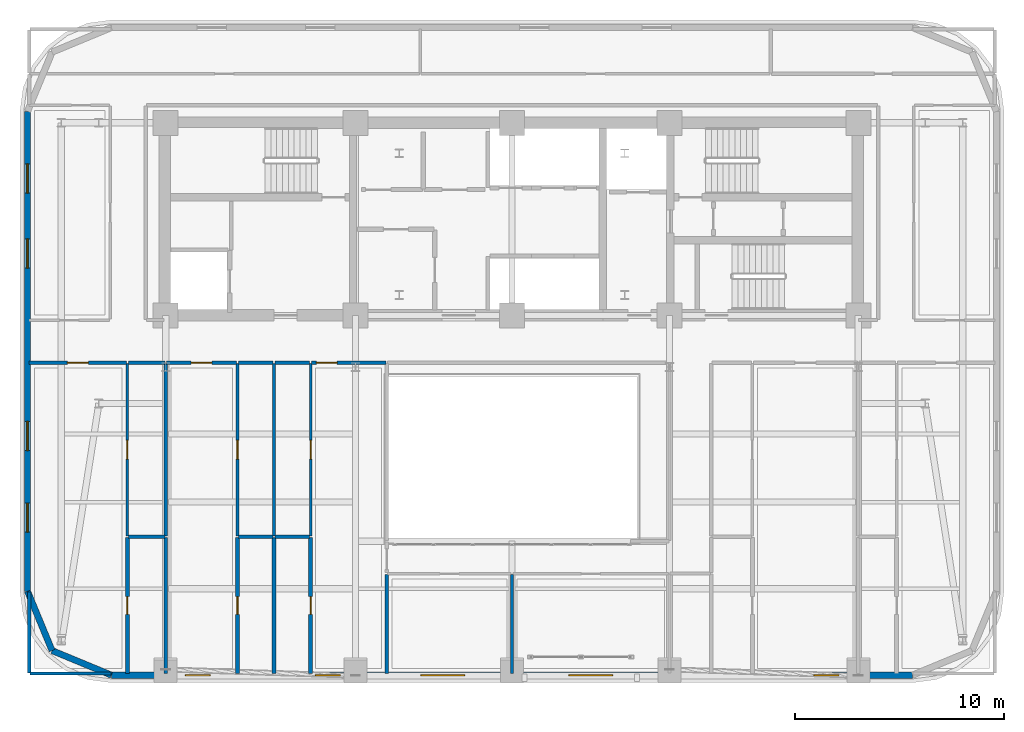
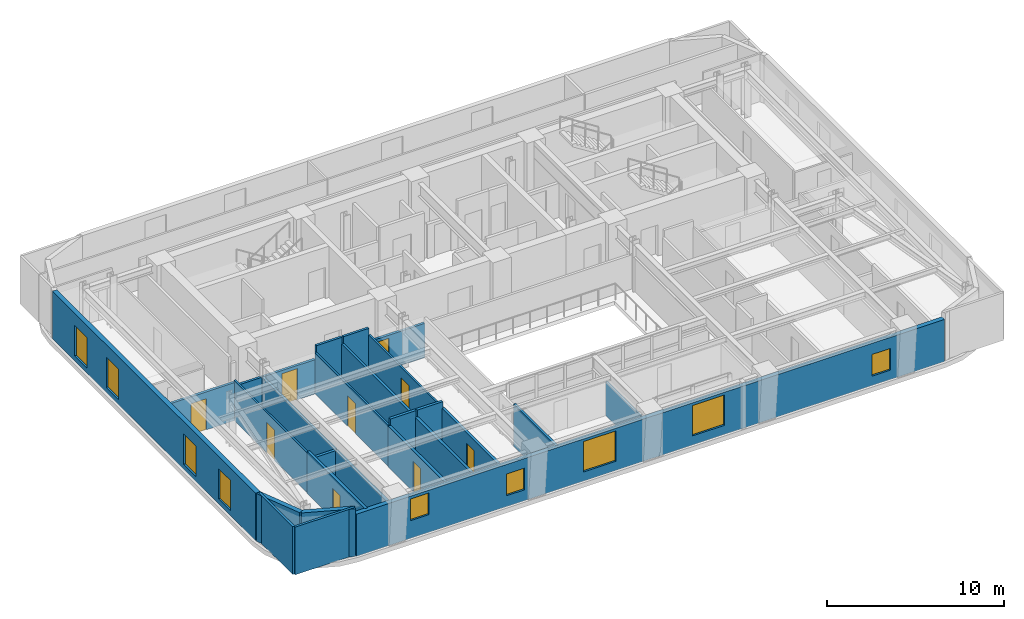
# One storey, part 6 of 13: 27 walls, 9 doors, 9 windows, 18 openings.
"""IFC4 building model written with IfcOpenShell, lengths in metres."""

from ifc_helpers import new_model, si_unit, direction, frame, frame_2d, origin, place, context, subcontext, project, spatial, rectangle, extrude, material, layer, layer_set, type_object, element, fill, save


model = new_model("IFC4")

# Units and contexts
model_context = context("Model", 3, precision=1e-05, world=origin(), true_north=direction((0.0, 1.0)))
body_context = subcontext(model_context, "Body", "Model", "MODEL_VIEW")
ifc_project = project(units=[si_unit("LENGTHUNIT", "METRE"), si_unit("AREAUNIT", "SQUARE_METRE"), si_unit("VOLUMEUNIT", "CUBIC_METRE"), si_unit("PLANEANGLEUNIT", "RADIAN"), si_unit("MASSUNIT", "GRAM", prefix="KILO")], contexts=[model_context])

# Site, building, storey
site_placement = place(None, origin())
site = spatial("IfcSite", under=ifc_project, at=site_placement, CompositionType="ELEMENT")
building_placement = place(site_placement, origin())
building = spatial("IfcBuilding", under=site, at=building_placement, Name="Zarnavel Station Tower", CompositionType="ELEMENT")
storey_placement = place(building_placement, frame((0.0, 0.0, 169.64990234375)))
storey = spatial("IfcBuildingStorey", under=building, at=storey_placement, Name="L46", CompositionType="ELEMENT", Elevation=169.64990234375)

# Wall, openings, windows
ifc_material_1 = material(Name="Precast concrete C45/55 (Dark Basalt Finish)", Category="masonry")
ifc_layer_1 = layer(ifc_material_1, 0.300048828125)
ifc_layer_set_1 = layer_set([ifc_layer_1], Name="EW_BASALT_300")
wall_type_1 = type_object("IfcWallType", Name="EW_BASALT_300", PredefinedType="SOLIDWALL", material=ifc_layer_set_1)
wall_1_placement = place(storey_placement, frame((5.580078125, 14.60009765625, 0.0), z_axis=(0.0, 0.0, 1.0), x_axis=(0.0, 1.0, 0.0)))
wall_1 = element("IfcWall", 1, at=wall_1_placement, inside=storey, type_object=wall_type_1, Name="L46 Exterior Basalt Masonry Frame Wall 09", PredefinedType="SOLIDWALL", context=body_context, shape_type="SweptSolid", body=[
    extrude(rectangle(XDim=23.0, YDim=0.300048828125, at=frame_2d((11.5, 0.0))), origin(), (0.0, 0.0, 1.0), 3.2900390625),
])
opening_1_placement = place(wall_1_placement, frame((15.493408203125, 0.0, 0.340087890625)))
opening_1 = element("IfcOpeningElement", 2, at=opening_1_placement, cuts=wall_1, Name="Opening WN04", PredefinedType="OPENING", context=body_context, shape_type="SweptSolid", body=[
    extrude(rectangle(XDim=1.39990234375, YDim=2.10009765625, at=frame_2d((0.699951171875, 1.050048828125))), frame((0.0, 0.159912109375, 0.0), z_axis=(0.0, -1.0, 0.0), x_axis=(1.0, 0.0, 0.0)), (0.0, 0.0, 1.0), 0.320068359375),
])
opening_2_placement = place(wall_1_placement, frame((19.086669921875, 0.0, 0.340087890625)))
opening_2 = element("IfcOpeningElement", 3, at=opening_2_placement, cuts=wall_1, Name="Opening WN04", PredefinedType="OPENING", context=body_context, shape_type="SweptSolid", body=[
    extrude(rectangle(XDim=1.39990234375, YDim=2.10009765625, at=frame_2d((0.699951171875, 1.050048828125))), frame((0.0, 0.159912109375, 0.0), z_axis=(0.0, -1.0, 0.0), x_axis=(1.0, 0.0, 0.0)), (0.0, 0.0, 1.0), 0.320068359375),
])
opening_3_placement = place(wall_1_placement, frame((2.830078125, 0.0, 0.340087890625)))
opening_3 = element("IfcOpeningElement", 4, at=opening_3_placement, cuts=wall_1, Name="Opening WN04", PredefinedType="OPENING", context=body_context, shape_type="SweptSolid", body=[
    extrude(rectangle(XDim=1.39990234375, YDim=2.10009765625, at=frame_2d((0.699951171875, 1.050048828125))), frame((0.0, 0.159912109375, 0.0), z_axis=(0.0, -1.0, 0.0), x_axis=(1.0, 0.0, 0.0)), (0.0, 0.0, 1.0), 0.320068359375),
])
opening_4_placement = place(wall_1_placement, frame((6.739990234375, 0.0, 0.340087890625)))
opening_4 = element("IfcOpeningElement", 5, at=opening_4_placement, cuts=wall_1, Name="Opening WN04", PredefinedType="OPENING", context=body_context, shape_type="SweptSolid", body=[
    extrude(rectangle(XDim=1.39990234375, YDim=2.10009765625, at=frame_2d((0.699951171875, 1.050048828125))), frame((0.0, 0.159912109375, 0.0), z_axis=(0.0, -1.0, 0.0), x_axis=(1.0, 0.0, 0.0)), (0.0, 0.0, 1.0), 0.320068359375),
])
ifc_material_2 = material(Name="Thermally Broken Black Aluminium and Low-E Dark Glass", Category="aluminium")
window_type_1 = type_object("IfcWindowType", Name="WN_1400x2100", PartitioningType="DOUBLE_PANEL_VERTICAL", PredefinedType="WINDOW", material=ifc_material_2)
window_1_placement = place(opening_1_placement, origin())
window_1 = element("IfcWindow", 6, at=window_1_placement, inside=storey, type_object=window_type_1, Name="L46 Recessed Facade Window 01", OverallHeight=2.10009765625, OverallWidth=1.39990234375, PartitioningType="SINGLE_PANEL", PredefinedType="WINDOW", context=body_context, shape_type="SweptSolid", body=[
    extrude(rectangle(XDim=1.39990234375, YDim=2.10009765625, at=frame_2d((0.699951171875, 1.050048828125))), frame((0.0, 0.030029296875, 0.0), z_axis=(0.0, -1.0, 0.0), x_axis=(1.0, 0.0, 0.0)), (0.0, 0.0, 1.0), 0.06005859375),
])
fill(opening_1, window_1)
window_2_placement = place(opening_2_placement, origin())
window_2 = element("IfcWindow", 7, at=window_2_placement, inside=storey, type_object=window_type_1, Name="L46 Recessed Facade Window 02", OverallHeight=2.10009765625, OverallWidth=1.39990234375, PartitioningType="SINGLE_PANEL", PredefinedType="WINDOW", context=body_context, shape_type="SweptSolid", body=[
    extrude(rectangle(XDim=1.39990234375, YDim=2.10009765625, at=frame_2d((0.699951171875, 1.050048828125))), frame((0.0, 0.030029296875, 0.0), z_axis=(0.0, -1.0, 0.0), x_axis=(1.0, 0.0, 0.0)), (0.0, 0.0, 1.0), 0.06005859375),
])
fill(opening_2, window_2)
window_3_placement = place(opening_3_placement, origin())
window_3 = element("IfcWindow", 8, at=window_3_placement, inside=storey, type_object=window_type_1, Name="L46 Recessed Facade Window 03", OverallHeight=2.10009765625, OverallWidth=1.39990234375, PartitioningType="SINGLE_PANEL", PredefinedType="WINDOW", context=body_context, shape_type="SweptSolid", body=[
    extrude(rectangle(XDim=1.39990234375, YDim=2.10009765625, at=frame_2d((0.699951171875, 1.050048828125))), frame((0.0, 0.030029296875, 0.0), z_axis=(0.0, -1.0, 0.0), x_axis=(1.0, 0.0, 0.0)), (0.0, 0.0, 1.0), 0.06005859375),
])
fill(opening_3, window_3)
window_4_placement = place(opening_4_placement, origin())
window_4 = element("IfcWindow", 9, at=window_4_placement, inside=storey, type_object=window_type_1, Name="L46 Recessed Facade Window 04", OverallHeight=2.10009765625, OverallWidth=1.39990234375, PartitioningType="SINGLE_PANEL", PredefinedType="WINDOW", context=body_context, shape_type="SweptSolid", body=[
    extrude(rectangle(XDim=1.39990234375, YDim=2.10009765625, at=frame_2d((0.699951171875, 1.050048828125))), frame((0.0, 0.030029296875, 0.0), z_axis=(0.0, -1.0, 0.0), x_axis=(1.0, 0.0, 0.0)), (0.0, 0.0, 1.0), 0.06005859375),
])
fill(opening_4, window_4)

# Walls
for number, where, z_axis, x_axis, name in (
    (10, (6.75732421875, 11.75732421875, 0.0), (0.0, 0.0, 1.0), (-0.382608747773, 0.923910464346, 0.0), "L46 Exterior Basalt Masonry Frame Wall 10"),
    (11, (9.60009765625, 10.580078125, 0.0), (0.0, 0.0, 1.0), (-0.923910464346, 0.382608747773, 0.0), "L46 Exterior Basalt Masonry Frame Wall 11"),
):
    element("IfcWall", number, at=place(storey_placement, frame(where, z_axis=z_axis, x_axis=x_axis)), inside=storey, type_object=wall_type_1, Name=name, PredefinedType="SOLIDWALL", context=body_context, shape_type="SweptSolid", body=[
        extrude(rectangle(XDim=3.076904296875, YDim=0.300048828125, at=frame_2d((1.53857421875, 0.0))), origin(), (0.0, 0.0, 1.0), 3.2900390625),
    ])

# Wall, openings, windows
wall_2_placement = place(storey_placement, frame((48.0, 10.580078125, 0.0), z_axis=(0.0, 0.0, 1.0), x_axis=(-1.0, 0.0, 0.0)))
wall_2 = element("IfcWall", 12, at=wall_2_placement, inside=storey, type_object=wall_type_1, Name="L46 Exterior Basalt Masonry Frame Wall 12", PredefinedType="SOLIDWALL", context=body_context, shape_type="SweptSolid", body=[
    extrude(rectangle(XDim=38.39990234375, YDim=0.300048828125, at=frame_2d((19.199951171875, 0.0))), origin(), (0.0, 0.0, 1.0), 2.91015625),
])
opening_5_placement = place(wall_2_placement, frame((33.6650390625, 0.0, 1.219970703125)))
opening_5 = element("IfcOpeningElement", 13, at=opening_5_placement, cuts=wall_2, Name="Opening WN08", PredefinedType="OPENING", context=body_context, shape_type="SweptSolid", body=[
    extrude(rectangle(XDim=1.199951171875, YDim=1.5, at=frame_2d((0.60009765625, 0.75))), frame((0.0, 0.159912109375, 0.0), z_axis=(0.0, -1.0, 0.0), x_axis=(1.0, 0.0, 0.0)), (0.0, 0.0, 1.0), 0.320068359375),
])
opening_6_placement = place(wall_2_placement, frame((21.467529296875, 0.0, 0.6298828125)))
opening_6 = element("IfcOpeningElement", 14, at=opening_6_placement, cuts=wall_2, Name="Opening WN05", PredefinedType="OPENING", context=body_context, shape_type="SweptSolid", body=[
    extrude(rectangle(XDim=2.10009765625, YDim=2.10009765625, at=frame_2d((1.050048828125, 1.050048828125))), frame((0.0, 0.159912109375, 0.0), z_axis=(0.0, -1.0, 0.0), x_axis=(1.0, 0.0, 0.0)), (0.0, 0.0, 1.0), 0.320068359375),
])
opening_7_placement = place(wall_2_placement, frame((14.375, 0.0, 0.6298828125)))
opening_7 = element("IfcOpeningElement", 15, at=opening_7_placement, cuts=wall_2, Name="Opening WN05", PredefinedType="OPENING", context=body_context, shape_type="SweptSolid", body=[
    extrude(rectangle(XDim=2.10009765625, YDim=2.10009765625, at=frame_2d((1.050048828125, 1.050048828125))), frame((0.0, 0.159912109375, 0.0), z_axis=(0.0, -1.0, 0.0), x_axis=(1.0, 0.0, 0.0)), (0.0, 0.0, 1.0), 0.320068359375),
])
opening_8_placement = place(wall_2_placement, frame((3.534912109375, 0.0, 0.64990234375)))
opening_8 = element("IfcOpeningElement", 16, at=opening_8_placement, cuts=wall_2, Name="Opening WN08", PredefinedType="OPENING", context=body_context, shape_type="SweptSolid", body=[
    extrude(rectangle(XDim=1.199951171875, YDim=1.5, at=frame_2d((0.60009765625, 0.75))), frame((0.0, 0.159912109375, 0.0), z_axis=(0.0, -1.0, 0.0), x_axis=(1.0, 0.0, 0.0)), (0.0, 0.0, 1.0), 0.320068359375),
])
opening_9_placement = place(wall_2_placement, frame((27.419921875, 0.0, 0.75)))
opening_9 = element("IfcOpeningElement", 17, at=opening_9_placement, cuts=wall_2, Name="Opening WN08", PredefinedType="OPENING", context=body_context, shape_type="SweptSolid", body=[
    extrude(rectangle(XDim=1.199951171875, YDim=1.5, at=frame_2d((0.60009765625, 0.75))), frame((0.0, 0.159912109375, 0.0), z_axis=(0.0, -1.0, 0.0), x_axis=(1.0, 0.0, 0.0)), (0.0, 0.0, 1.0), 0.320068359375),
])
ifc_material_3 = material(Name="Thermally Broken Black Aluminium and Low-E Dark Glass", Category="aluminium")
window_type_2 = type_object("IfcWindowType", Name="WN_1200x1500", PartitioningType="SINGLE_PANEL", PredefinedType="WINDOW", material=ifc_material_3)
window_5_placement = place(opening_5_placement, origin())
window_5 = element("IfcWindow", 18, at=window_5_placement, inside=storey, type_object=window_type_2, Name="L46 Recessed Facade Window 01", OverallHeight=1.5, OverallWidth=1.199951171875, PartitioningType="SINGLE_PANEL", PredefinedType="WINDOW", context=body_context, shape_type="SweptSolid", body=[
    extrude(rectangle(XDim=1.199951171875, YDim=1.5, at=frame_2d((0.60009765625, 0.75))), frame((0.0, 0.030029296875, 0.0), z_axis=(0.0, -1.0, 0.0), x_axis=(1.0, 0.0, 0.0)), (0.0, 0.0, 1.0), 0.06005859375),
])
fill(opening_5, window_5)
window_6_placement = place(opening_8_placement, origin())
window_6 = element("IfcWindow", 19, at=window_6_placement, inside=storey, type_object=window_type_2, Name="L46 Recessed Facade Window 04", OverallHeight=1.5, OverallWidth=1.199951171875, PartitioningType="SINGLE_PANEL", PredefinedType="WINDOW", context=body_context, shape_type="SweptSolid", body=[
    extrude(rectangle(XDim=1.199951171875, YDim=1.5, at=frame_2d((0.60009765625, 0.75))), frame((0.0, 0.030029296875, 0.0), z_axis=(0.0, -1.0, 0.0), x_axis=(1.0, 0.0, 0.0)), (0.0, 0.0, 1.0), 0.06005859375),
])
fill(opening_8, window_6)
window_7_placement = place(opening_9_placement, origin())
window_7 = element("IfcWindow", 20, at=window_7_placement, inside=storey, type_object=window_type_2, Name="L46 South Guestroom Window HW3R", OverallHeight=1.5, OverallWidth=1.199951171875, PartitioningType="SINGLE_PANEL", PredefinedType="WINDOW", context=body_context, shape_type="SweptSolid", body=[
    extrude(rectangle(XDim=1.199951171875, YDim=1.5, at=frame_2d((0.60009765625, 0.75))), frame((0.0, 0.030029296875, 0.0), z_axis=(0.0, -1.0, 0.0), x_axis=(1.0, 0.0, 0.0)), (0.0, 0.0, 1.0), 0.06005859375),
])
fill(opening_9, window_7)
ifc_material_4 = material(Name="Thermally Broken Black Aluminium and Low-E Dark Glass", Category="aluminium")
window_type_3 = type_object("IfcWindowType", Name="WN_2100x2100", PartitioningType="TRIPLE_PANEL_VERTICAL", PredefinedType="WINDOW", material=ifc_material_4)
window_8_placement = place(opening_6_placement, origin())
window_8 = element("IfcWindow", 21, at=window_8_placement, inside=storey, type_object=window_type_3, Name="L46 Recessed Facade Window 02", OverallHeight=2.10009765625, OverallWidth=2.10009765625, PartitioningType="SINGLE_PANEL", PredefinedType="WINDOW", context=body_context, shape_type="SweptSolid", body=[
    extrude(rectangle(XDim=2.10009765625, YDim=2.10009765625, at=frame_2d((1.050048828125, 1.050048828125))), frame((0.0, 0.030029296875, 0.0), z_axis=(0.0, -1.0, 0.0), x_axis=(1.0, 0.0, 0.0)), (0.0, 0.0, 1.0), 0.06005859375),
])
fill(opening_6, window_8)
window_9_placement = place(opening_7_placement, origin())
window_9 = element("IfcWindow", 22, at=window_9_placement, inside=storey, type_object=window_type_3, Name="L46 Recessed Facade Window 03", OverallHeight=2.10009765625, OverallWidth=2.10009765625, PartitioningType="SINGLE_PANEL", PredefinedType="WINDOW", context=body_context, shape_type="SweptSolid", body=[
    extrude(rectangle(XDim=2.10009765625, YDim=2.10009765625, at=frame_2d((1.050048828125, 1.050048828125))), frame((0.0, 0.030029296875, 0.0), z_axis=(0.0, -1.0, 0.0), x_axis=(1.0, 0.0, 0.0)), (0.0, 0.0, 1.0), 0.06005859375),
])
fill(opening_7, window_9)

# Wall, opening, door
ifc_material_5 = material(Name="Gypsum Twin-Stud Acoustic Fire Partition", Category="concrete")
ifc_layer_2 = layer(ifc_material_5, 0.159912109375)
ifc_layer_set_2 = layer_set([ifc_layer_2], Name="PT_DEMISE_160")
wall_type_2 = type_object("IfcWallType", Name="PT_DEMISE_160", PredefinedType="PARTITIONING", material=ifc_layer_set_2)
wall_3_placement = place(storey_placement, frame((5.659912109375, 25.550048828125, 0.0), z_axis=(0.0, 0.0, 1.0), x_axis=(1.0, 0.0, 0.0)))
wall_3 = element("IfcWall", 23, at=wall_3_placement, inside=storey, type_object=wall_type_2, Name="L46 Partition COR-S-HW1R", PredefinedType="PARTITIONING", context=body_context, shape_type="SweptSolid", body=[
    extrude(rectangle(XDim=4.669189453125, YDim=0.159912109375, at=frame_2d((2.33447265625, 0.0))), origin(), (0.0, 0.0, 1.0), 2.6201171875),
])
opening_10_placement = place(wall_3_placement, frame((1.83447265625, 0.0, 0.0)))
opening_10 = element("IfcOpeningElement", 24, at=opening_10_placement, cuts=wall_3, Name="Opening FD02", PredefinedType="OPENING", context=body_context, shape_type="SweptSolid", body=[
    extrude(rectangle(XDim=1.0, YDim=2.14990234375, at=frame_2d((0.5, 1.074951171875))), frame((0.0, 0.08984375, 0.0), z_axis=(0.0, -1.0, 0.0), x_axis=(1.0, 0.0, 0.0)), (0.0, 0.0, 1.0), 0.179931640625),
])
ifc_material_6 = material(Name="Painted Galvanised Steel and Hardwood Leaf", Category="steel")
door_type_1 = type_object("IfcDoorType", Name="ID_ENTRY_1000", OperationType="NOTDEFINED", PredefinedType="DOOR", material=ifc_material_6)
door_1_placement = place(opening_10_placement, origin())
door_1 = element("IfcDoor", 25, at=door_1_placement, inside=storey, type_object=door_type_1, Name="L46 Door COR-S-HW1R", OperationType="SINGLE_SWING_RIGHT", OverallHeight=2.14990234375, OverallWidth=1.0, PredefinedType="DOOR", context=body_context, shape_type="SweptSolid", body=[
    extrude(rectangle(XDim=1.0, YDim=2.14990234375, at=frame_2d((0.5, 1.074951171875))), frame((0.0, 0.02490234375, 0.0), z_axis=(0.0, -1.0, 0.0), x_axis=(1.0, 0.0, 0.0)), (0.0, 0.0, 1.0), 0.050048828125),
])
fill(opening_10, door_1)

# Wall
wall_4_placement = place(storey_placement, frame((10.408935546875, 25.550048828125, 0.0), z_axis=(0.0, 0.0, 1.0), x_axis=(1.0, 0.0, 0.0)))
element("IfcWall", 26, at=wall_4_placement, inside=storey, type_object=wall_type_2, Name="L46 Partition COR-S-HW1S", PredefinedType="PARTITIONING", context=body_context, shape_type="SweptSolid", body=[
    extrude(rectangle(XDim=1.7509765625, YDim=0.159912109375, at=frame_2d((0.87548828125, 0.0))), origin(), (0.0, 0.0, 1.0), 2.360107421875),
])

# Wall, opening, door
wall_5_placement = place(storey_placement, frame((12.239990234375, 25.550048828125, 0.0), z_axis=(0.0, 0.0, 1.0), x_axis=(1.0, 0.0, 0.0)))
wall_5 = element("IfcWall", 27, at=wall_5_placement, inside=storey, type_object=wall_type_2, Name="L46 Partition COR-S-HW2R", PredefinedType="PARTITIONING", context=body_context, shape_type="SweptSolid", body=[
    extrude(rectangle(XDim=3.364013671875, YDim=0.159912109375, at=frame_2d((1.68212890625, 0.0))), origin(), (0.0, 0.0, 1.0), 2.360107421875),
])
opening_11_placement = place(wall_5_placement, frame((1.181884765625, 0.0, 0.0)))
opening_11 = element("IfcOpeningElement", 28, at=opening_11_placement, cuts=wall_5, Name="Opening FD02", PredefinedType="OPENING", context=body_context, shape_type="SweptSolid", body=[
    extrude(rectangle(XDim=1.0, YDim=2.14990234375, at=frame_2d((0.5, 1.074951171875))), frame((0.0, 0.08984375, 0.0), z_axis=(0.0, -1.0, 0.0), x_axis=(1.0, 0.0, 0.0)), (0.0, 0.0, 1.0), 0.179931640625),
])
door_2_placement = place(opening_11_placement, origin())
door_2 = element("IfcDoor", 29, at=door_2_placement, inside=storey, type_object=door_type_1, Name="L46 Door COR-S-HW2R", OperationType="SINGLE_SWING_LEFT", OverallHeight=2.14990234375, OverallWidth=1.0, PredefinedType="DOOR", context=body_context, shape_type="SweptSolid", body=[
    extrude(rectangle(XDim=1.0, YDim=2.14990234375, at=frame_2d((0.5, 1.074951171875))), frame((0.0, 0.02490234375, 0.0), z_axis=(0.0, -1.0, 0.0), x_axis=(1.0, 0.0, 0.0)), (0.0, 0.0, 1.0), 0.050048828125),
])
fill(opening_11, door_2)

# Wall
wall_6_placement = place(storey_placement, frame((15.68408203125, 25.550048828125, 0.0), z_axis=(0.0, 0.0, 1.0), x_axis=(1.0, 0.0, 0.0)))
element("IfcWall", 30, at=wall_6_placement, inside=storey, type_object=wall_type_2, Name="L46 Partition COR-S-HW2S", PredefinedType="PARTITIONING", context=body_context, shape_type="SweptSolid", body=[
    extrude(rectangle(XDim=1.669921875, YDim=0.159912109375, at=frame_2d((0.8349609375, 0.0))), origin(), (0.0, 0.0, 1.0), 3.2900390625),
])

# Wall, opening, door
wall_7_placement = place(storey_placement, frame((19.18408203125, 25.550048828125, 0.0), z_axis=(0.0, 0.0, 1.0), x_axis=(1.0, 0.0, 0.0)))
wall_7 = element("IfcWall", 31, at=wall_7_placement, inside=storey, type_object=wall_type_2, Name="L46 Partition COR-S-HW3R", PredefinedType="PARTITIONING", context=body_context, shape_type="SweptSolid", body=[
    extrude(rectangle(XDim=3.575927734375, YDim=0.159912109375, at=frame_2d((1.7880859375, 0.0))), origin(), (0.0, 0.0, 1.0), 2.360107421875),
])
opening_12_placement = place(wall_7_placement, frame((0.235595703125, 0.0, 0.0)))
opening_12 = element("IfcOpeningElement", 32, at=opening_12_placement, cuts=wall_7, Name="Opening FD02", PredefinedType="OPENING", context=body_context, shape_type="SweptSolid", body=[
    extrude(rectangle(XDim=1.0, YDim=2.14990234375, at=frame_2d((0.5, 1.074951171875))), frame((0.0, 0.08984375, 0.0), z_axis=(0.0, -1.0, 0.0), x_axis=(1.0, 0.0, 0.0)), (0.0, 0.0, 1.0), 0.179931640625),
])
door_3_placement = place(opening_12_placement, origin())
door_3 = element("IfcDoor", 33, at=door_3_placement, inside=storey, type_object=door_type_1, Name="L46 Door COR-S-HW3R", OperationType="SINGLE_SWING_RIGHT", OverallHeight=2.14990234375, OverallWidth=1.0, PredefinedType="DOOR", context=body_context, shape_type="SweptSolid", body=[
    extrude(rectangle(XDim=1.0, YDim=2.14990234375, at=frame_2d((0.5, 1.074951171875))), frame((0.0, 0.02490234375, 0.0), z_axis=(0.0, -1.0, 0.0), x_axis=(1.0, 0.0, 0.0)), (0.0, 0.0, 1.0), 0.050048828125),
])
fill(opening_12, door_3)

# Walls
wall_8_placement = place(storey_placement, frame((17.43408203125, 25.550048828125, 0.0), z_axis=(0.0, 0.0, 1.0), x_axis=(1.0, 0.0, 0.0)))
element("IfcWall", 34, at=wall_8_placement, inside=storey, type_object=wall_type_2, Name="L46 Partition COR-S-HW3S", PredefinedType="PARTITIONING", context=body_context, shape_type="SweptSolid", body=[
    extrude(rectangle(XDim=1.669921875, YDim=0.159912109375, at=frame_2d((0.8349609375, 0.0))), origin(), (0.0, 0.0, 1.0), 3.2900390625),
])
wall_9_placement = place(storey_placement, frame((12.199951171875, 17.251953125, 0.0), z_axis=(0.0, 0.0, 1.0), x_axis=(0.0, 1.0, 0.0)))
element("IfcWall", 35, at=wall_9_placement, inside=storey, type_object=wall_type_2, Name="L46 Partition HW1S-HW2R", PredefinedType="PARTITIONING", context=body_context, shape_type="SweptSolid", body=[
    extrude(rectangle(XDim=8.258056640625, YDim=0.159912109375, at=frame_2d((4.12890625, 0.0))), origin(), (0.0, 0.0, 1.0), 2.360107421875),
])
wall_10_placement = place(storey_placement, frame((17.39404296875, 17.251953125, 0.0), z_axis=(0.0, 0.0, 1.0), x_axis=(0.0, 1.0, 0.0)))
element("IfcWall", 36, at=wall_10_placement, inside=storey, type_object=wall_type_2, Name="L46 Partition HW2S-HW3S", PredefinedType="PARTITIONING", context=body_context, shape_type="SweptSolid", body=[
    extrude(rectangle(XDim=8.258056640625, YDim=0.159912109375, at=frame_2d((4.12890625, 0.0))), origin(), (0.0, 0.0, 1.0), 2.830078125),
])
wall_11_placement = place(storey_placement, frame((22.800048828125, 10.659912109375, 0.0), z_axis=(0.0, 0.0, 1.0), x_axis=(0.0, 1.0, 0.0)))
element("IfcWall", 37, at=wall_11_placement, inside=storey, type_object=wall_type_2, Name="L46 Partition HW3R-L45BAR", PredefinedType="PARTITIONING", context=body_context, shape_type="SweptSolid", body=[
    extrude(rectangle(XDim=4.75, YDim=0.159912109375, at=frame_2d((2.375, 0.0))), origin(), (0.0, 0.0, 1.0), 2.91015625),
])
for number, where, z_axis, x_axis, name in (
    (38, (5.68994140625, 10.659912109375, 0.0), (0.0, 0.0, 1.0), (1.0, 0.0, 0.0), "L46 Enclosure Wall HW1R"),
    (39, (5.659912109375, 10.68994140625, 0.0), (0.0, 0.0, 1.0), (0.0, 1.0, 0.0), "L46 Enclosure Wall HW1R"),
):
    element("IfcWall", number, at=place(storey_placement, frame(where, z_axis=z_axis, x_axis=x_axis)), inside=storey, type_object=wall_type_2, Name=name, PredefinedType="PARTITIONING", context=body_context, shape_type="SweptSolid", body=[
        extrude(rectangle(XDim=3.880126953125, YDim=0.159912109375, at=frame_2d((1.93994140625, 0.0))), origin(), (0.0, 0.0, 1.0), 3.2900390625),
    ])

# Wall, opening, door
ifc_material_7 = material(Name="Gypsum Metal-Stud Interior Partition", Category="concrete")
ifc_layer_3 = layer(ifc_material_7, 0.1201171875)
ifc_layer_set_3 = layer_set([ifc_layer_3], Name="PT_ROOM_120")
wall_type_3 = type_object("IfcWallType", Name="PT_ROOM_120", PredefinedType="PARTITIONING", material=ifc_layer_set_3)
wall_12_placement = place(storey_placement, frame((10.368896484375, 17.251953125, 0.0), z_axis=(0.0, 0.0, 1.0), x_axis=(0.0, 1.0, 0.0)))
wall_12 = element("IfcWall", 40, at=wall_12_placement, inside=storey, type_object=wall_type_3, Name="L46 Partition HW1R-HW1S", PredefinedType="PARTITIONING", context=body_context, shape_type="SweptSolid", body=[
    extrude(rectangle(XDim=8.258056640625, YDim=0.1201171875, at=frame_2d((4.12890625, 0.0))), origin(), (0.0, 0.0, 1.0), 2.77001953125),
])
opening_13_placement = place(wall_12_placement, frame((3.678955078125, 0.0, 0.0)))
opening_13 = element("IfcOpeningElement", 41, at=opening_13_placement, cuts=wall_12, Name="Opening ID01", PredefinedType="OPENING", context=body_context, shape_type="SweptSolid", body=[
    extrude(rectangle(XDim=0.89990234375, YDim=2.10009765625, at=frame_2d((0.449951171875, 1.050048828125))), frame((0.0, 0.070068359375, 0.0), z_axis=(0.0, -1.0, 0.0), x_axis=(1.0, 0.0, 0.0)), (0.0, 0.0, 1.0), 0.14013671875),
])
ifc_material_8 = material(Name="Painted Galvanised Steel and Hardwood Leaf", Category="steel")
door_type_2 = type_object("IfcDoorType", Name="ID_ROOM_900", OperationType="NOTDEFINED", PredefinedType="DOOR", material=ifc_material_8)
door_4_placement = place(opening_13_placement, origin())
door_4 = element("IfcDoor", 42, at=door_4_placement, inside=storey, type_object=door_type_2, Name="L46 Door HW1R-HW1S", OperationType="SINGLE_SWING_RIGHT", OverallHeight=2.10009765625, OverallWidth=0.89990234375, PredefinedType="DOOR", context=body_context, shape_type="SweptSolid", body=[
    extrude(rectangle(XDim=0.89990234375, YDim=2.10009765625, at=frame_2d((0.449951171875, 1.050048828125))), frame((0.0, 0.02490234375, 0.0), z_axis=(0.0, -1.0, 0.0), x_axis=(1.0, 0.0, 0.0)), (0.0, 0.0, 1.0), 0.050048828125),
])
fill(opening_13, door_4)

wall_13_placement = place(storey_placement, frame((15.64404296875, 17.251953125, 0.0), z_axis=(0.0, 0.0, 1.0), x_axis=(0.0, 1.0, 0.0)))
wall_13 = element("IfcWall", 43, at=wall_13_placement, inside=storey, type_object=wall_type_3, Name="L46 Partition HW2R-HW2S", PredefinedType="PARTITIONING", context=body_context, shape_type="SweptSolid", body=[
    extrude(rectangle(XDim=8.258056640625, YDim=0.1201171875, at=frame_2d((4.12890625, 0.0))), origin(), (0.0, 0.0, 1.0), 2.830078125),
])
opening_14_placement = place(wall_13_placement, frame((3.678955078125, 0.0, 0.0)))
opening_14 = element("IfcOpeningElement", 44, at=opening_14_placement, cuts=wall_13, Name="Opening ID01", PredefinedType="OPENING", context=body_context, shape_type="SweptSolid", body=[
    extrude(rectangle(XDim=0.89990234375, YDim=2.10009765625, at=frame_2d((0.449951171875, 1.050048828125))), frame((0.0, 0.070068359375, 0.0), z_axis=(0.0, -1.0, 0.0), x_axis=(1.0, 0.0, 0.0)), (0.0, 0.0, 1.0), 0.14013671875),
])
door_5_placement = place(opening_14_placement, origin())
door_5 = element("IfcDoor", 45, at=door_5_placement, inside=storey, type_object=door_type_2, Name="L46 Door HW2R-HW2S", OperationType="SINGLE_SWING_RIGHT", OverallHeight=2.10009765625, OverallWidth=0.89990234375, PredefinedType="DOOR", context=body_context, shape_type="SweptSolid", body=[
    extrude(rectangle(XDim=0.89990234375, YDim=2.10009765625, at=frame_2d((0.449951171875, 1.050048828125))), frame((0.0, 0.02490234375, 0.0), z_axis=(0.0, -1.0, 0.0), x_axis=(1.0, 0.0, 0.0)), (0.0, 0.0, 1.0), 0.050048828125),
])
fill(opening_14, door_5)

wall_14_placement = place(storey_placement, frame((19.14404296875, 17.251953125, 0.0), z_axis=(0.0, 0.0, 1.0), x_axis=(0.0, 1.0, 0.0)))
wall_14 = element("IfcWall", 46, at=wall_14_placement, inside=storey, type_object=wall_type_3, Name="L46 Partition HW3R-HW3S", PredefinedType="PARTITIONING", context=body_context, shape_type="SweptSolid", body=[
    extrude(rectangle(XDim=8.258056640625, YDim=0.1201171875, at=frame_2d((4.12890625, 0.0))), origin(), (0.0, 0.0, 1.0), 2.830078125),
])
opening_15_placement = place(wall_14_placement, frame((3.678955078125, 0.0, 0.0)))
opening_15 = element("IfcOpeningElement", 47, at=opening_15_placement, cuts=wall_14, Name="Opening ID01", PredefinedType="OPENING", context=body_context, shape_type="SweptSolid", body=[
    extrude(rectangle(XDim=0.89990234375, YDim=2.10009765625, at=frame_2d((0.449951171875, 1.050048828125))), frame((0.0, 0.070068359375, 0.0), z_axis=(0.0, -1.0, 0.0), x_axis=(1.0, 0.0, 0.0)), (0.0, 0.0, 1.0), 0.14013671875),
])
door_6_placement = place(opening_15_placement, origin())
door_6 = element("IfcDoor", 48, at=door_6_placement, inside=storey, type_object=door_type_2, Name="L46 Door HW3R-HW3S", OperationType="SINGLE_SWING_RIGHT", OverallHeight=2.10009765625, OverallWidth=0.89990234375, PredefinedType="DOOR", context=body_context, shape_type="SweptSolid", body=[
    extrude(rectangle(XDim=0.89990234375, YDim=2.10009765625, at=frame_2d((0.449951171875, 1.050048828125))), frame((0.0, 0.02490234375, 0.0), z_axis=(0.0, -1.0, 0.0), x_axis=(1.0, 0.0, 0.0)), (0.0, 0.0, 1.0), 0.050048828125),
])
fill(opening_15, door_6)

# Wall
wall_15_placement = place(storey_placement, frame((28.800048828125, 10.659912109375, 0.0), z_axis=(0.0, 0.0, 1.0), x_axis=(0.0, 1.0, 0.0)))
element("IfcWall", 49, at=wall_15_placement, inside=storey, type_object=wall_type_3, Name="L46 Partition L45BAR-L45STD", PredefinedType="PARTITIONING", context=body_context, shape_type="SweptSolid", body=[
    extrude(rectangle(XDim=4.75, YDim=0.1201171875, at=frame_2d((2.375, 0.0))), origin(), (0.0, 0.0, 1.0), 2.360107421875),
])

# Wall, opening, door
ifc_material_9 = material(Name="Moisture-Resistant Plumbing Chase Wall", Category="concrete")
ifc_layer_4 = layer(ifc_material_9, 0.179931640625)
ifc_layer_set_4 = layer_set([ifc_layer_4], Name="PW_PLUMB_180")
wall_type_4 = type_object("IfcWallType", Name="PW_PLUMB_180", PredefinedType="PLUMBINGWALL", material=ifc_layer_set_4)
wall_16_placement = place(storey_placement, frame((10.368896484375, 10.659912109375, 0.0), z_axis=(0.0, 0.0, 1.0), x_axis=(0.0, 1.0, 0.0)))
wall_16 = element("IfcWall", 50, at=wall_16_placement, inside=storey, type_object=wall_type_4, Name="L46 Partition HW1R-HW1B", PredefinedType="PLUMBINGWALL", context=body_context, shape_type="SweptSolid", body=[
    extrude(rectangle(XDim=6.51220703125, YDim=0.179931640625, at=frame_2d((3.256103515625, 0.0))), origin(), (0.0, 0.0, 1.0), 2.91015625),
])
opening_16_placement = place(wall_16_placement, frame((2.8310546875, 0.0, 0.0)))
opening_16 = element("IfcOpeningElement", 51, at=opening_16_placement, cuts=wall_16, Name="Opening ID02", PredefinedType="OPENING", context=body_context, shape_type="SweptSolid", body=[
    extrude(rectangle(XDim=0.85009765625, YDim=2.10009765625, at=frame_2d((0.425048828125, 1.050048828125))), frame((0.0, 0.099853515625, 0.0), z_axis=(0.0, -1.0, 0.0), x_axis=(1.0, 0.0, 0.0)), (0.0, 0.0, 1.0), 0.199951171875),
])
ifc_material_10 = material(Name="Painted Galvanised Steel and Hardwood Leaf", Category="steel")
door_type_3 = type_object("IfcDoorType", Name="ID_BATH_850", OperationType="NOTDEFINED", PredefinedType="DOOR", material=ifc_material_10)
door_7_placement = place(opening_16_placement, origin())
door_7 = element("IfcDoor", 52, at=door_7_placement, inside=storey, type_object=door_type_3, Name="L46 Door HW1R-HW1B", OperationType="SINGLE_SWING_LEFT", OverallHeight=2.10009765625, OverallWidth=0.85009765625, PredefinedType="DOOR", context=body_context, shape_type="SweptSolid", body=[
    extrude(rectangle(XDim=0.85009765625, YDim=2.10009765625, at=frame_2d((0.425048828125, 1.050048828125))), frame((0.0, 0.02490234375, 0.0), z_axis=(0.0, -1.0, 0.0), x_axis=(1.0, 0.0, 0.0)), (0.0, 0.0, 1.0), 0.050048828125),
])
fill(opening_16, door_7)

# Walls
wall_17_placement = place(storey_placement, frame((10.408935546875, 17.2119140625, 0.0), z_axis=(0.0, 0.0, 1.0), x_axis=(1.0, 0.0, 0.0)))
element("IfcWall", 53, at=wall_17_placement, inside=storey, type_object=wall_type_4, Name="L46 Partition HW1B-HW1S", PredefinedType="PLUMBINGWALL", context=body_context, shape_type="SweptSolid", body=[
    extrude(rectangle(XDim=1.7509765625, YDim=0.179931640625, at=frame_2d((0.87548828125, 0.0))), origin(), (0.0, 0.0, 1.0), 2.360107421875),
])
wall_18_placement = place(storey_placement, frame((12.199951171875, 10.659912109375, 0.0), z_axis=(0.0, 0.0, 1.0), x_axis=(0.0, 1.0, 0.0)))
element("IfcWall", 54, at=wall_18_placement, inside=storey, type_object=wall_type_4, Name="L46 Partition HW1B-HW2R", PredefinedType="PLUMBINGWALL", context=body_context, shape_type="SweptSolid", body=[
    extrude(rectangle(XDim=6.51220703125, YDim=0.179931640625, at=frame_2d((3.256103515625, 0.0))), origin(), (0.0, 0.0, 1.0), 2.360107421875),
])

# Wall, opening, door
wall_19_placement = place(storey_placement, frame((15.64404296875, 10.659912109375, 0.0), z_axis=(0.0, 0.0, 1.0), x_axis=(0.0, 1.0, 0.0)))
wall_19 = element("IfcWall", 55, at=wall_19_placement, inside=storey, type_object=wall_type_4, Name="L46 Partition HW2R-HW2B", PredefinedType="PLUMBINGWALL", context=body_context, shape_type="SweptSolid", body=[
    extrude(rectangle(XDim=6.51220703125, YDim=0.179931640625, at=frame_2d((3.256103515625, 0.0))), origin(), (0.0, 0.0, 1.0), 2.830078125),
])
opening_17_placement = place(wall_19_placement, frame((2.8310546875, 0.0, 0.0)))
opening_17 = element("IfcOpeningElement", 56, at=opening_17_placement, cuts=wall_19, Name="Opening ID02", PredefinedType="OPENING", context=body_context, shape_type="SweptSolid", body=[
    extrude(rectangle(XDim=0.85009765625, YDim=2.10009765625, at=frame_2d((0.425048828125, 1.050048828125))), frame((0.0, 0.099853515625, 0.0), z_axis=(0.0, -1.0, 0.0), x_axis=(1.0, 0.0, 0.0)), (0.0, 0.0, 1.0), 0.199951171875),
])
door_8_placement = place(opening_17_placement, origin())
door_8 = element("IfcDoor", 57, at=door_8_placement, inside=storey, type_object=door_type_3, Name="L46 Door HW2R-HW2B", OperationType="SINGLE_SWING_LEFT", OverallHeight=2.10009765625, OverallWidth=0.85009765625, PredefinedType="DOOR", context=body_context, shape_type="SweptSolid", body=[
    extrude(rectangle(XDim=0.85009765625, YDim=2.10009765625, at=frame_2d((0.425048828125, 1.050048828125))), frame((0.0, 0.02490234375, 0.0), z_axis=(0.0, -1.0, 0.0), x_axis=(1.0, 0.0, 0.0)), (0.0, 0.0, 1.0), 0.050048828125),
])
fill(opening_17, door_8)

# Walls
wall_20_placement = place(storey_placement, frame((15.68408203125, 17.2119140625, 0.0), z_axis=(0.0, 0.0, 1.0), x_axis=(1.0, 0.0, 0.0)))
element("IfcWall", 58, at=wall_20_placement, inside=storey, type_object=wall_type_4, Name="L46 Partition HW2B-HW2S", PredefinedType="PLUMBINGWALL", context=body_context, shape_type="SweptSolid", body=[
    extrude(rectangle(XDim=1.669921875, YDim=0.179931640625, at=frame_2d((0.8349609375, 0.0))), origin(), (0.0, 0.0, 1.0), 3.2900390625),
])
wall_21_placement = place(storey_placement, frame((17.39404296875, 10.659912109375, 0.0), z_axis=(0.0, 0.0, 1.0), x_axis=(0.0, 1.0, 0.0)))
element("IfcWall", 59, at=wall_21_placement, inside=storey, type_object=wall_type_4, Name="L46 Partition HW2B-HW3B", PredefinedType="PLUMBINGWALL", context=body_context, shape_type="SweptSolid", body=[
    extrude(rectangle(XDim=6.51220703125, YDim=0.179931640625, at=frame_2d((3.256103515625, 0.0))), origin(), (0.0, 0.0, 1.0), 2.830078125),
])

# Wall, opening, door
wall_22_placement = place(storey_placement, frame((19.14404296875, 10.659912109375, 0.0), z_axis=(0.0, 0.0, 1.0), x_axis=(0.0, 1.0, 0.0)))
wall_22 = element("IfcWall", 60, at=wall_22_placement, inside=storey, type_object=wall_type_4, Name="L46 Partition HW3R-HW3B", PredefinedType="PLUMBINGWALL", context=body_context, shape_type="SweptSolid", body=[
    extrude(rectangle(XDim=6.51220703125, YDim=0.179931640625, at=frame_2d((3.256103515625, 0.0))), origin(), (0.0, 0.0, 1.0), 2.830078125),
])
opening_18_placement = place(wall_22_placement, frame((2.8310546875, 0.0, 0.0)))
opening_18 = element("IfcOpeningElement", 61, at=opening_18_placement, cuts=wall_22, Name="Opening ID02", PredefinedType="OPENING", context=body_context, shape_type="SweptSolid", body=[
    extrude(rectangle(XDim=0.85009765625, YDim=2.10009765625, at=frame_2d((0.425048828125, 1.050048828125))), frame((0.0, 0.099853515625, 0.0), z_axis=(0.0, -1.0, 0.0), x_axis=(1.0, 0.0, 0.0)), (0.0, 0.0, 1.0), 0.199951171875),
])
door_9_placement = place(opening_18_placement, origin())
door_9 = element("IfcDoor", 62, at=door_9_placement, inside=storey, type_object=door_type_3, Name="L46 Door HW3R-HW3B", OperationType="SINGLE_SWING_LEFT", OverallHeight=2.10009765625, OverallWidth=0.85009765625, PredefinedType="DOOR", context=body_context, shape_type="SweptSolid", body=[
    extrude(rectangle(XDim=0.85009765625, YDim=2.10009765625, at=frame_2d((0.425048828125, 1.050048828125))), frame((0.0, 0.02490234375, 0.0), z_axis=(0.0, -1.0, 0.0), x_axis=(1.0, 0.0, 0.0)), (0.0, 0.0, 1.0), 0.050048828125),
])
fill(opening_18, door_9)

# Wall
wall_23_placement = place(storey_placement, frame((17.43408203125, 17.2119140625, 0.0), z_axis=(0.0, 0.0, 1.0), x_axis=(1.0, 0.0, 0.0)))
element("IfcWall", 63, at=wall_23_placement, inside=storey, type_object=wall_type_4, Name="L46 Partition HW3B-HW3S", PredefinedType="PLUMBINGWALL", context=body_context, shape_type="SweptSolid", body=[
    extrude(rectangle(XDim=1.669921875, YDim=0.179931640625, at=frame_2d((0.8349609375, 0.0))), origin(), (0.0, 0.0, 1.0), 3.2900390625),
])

save(model, "model.ifc")
